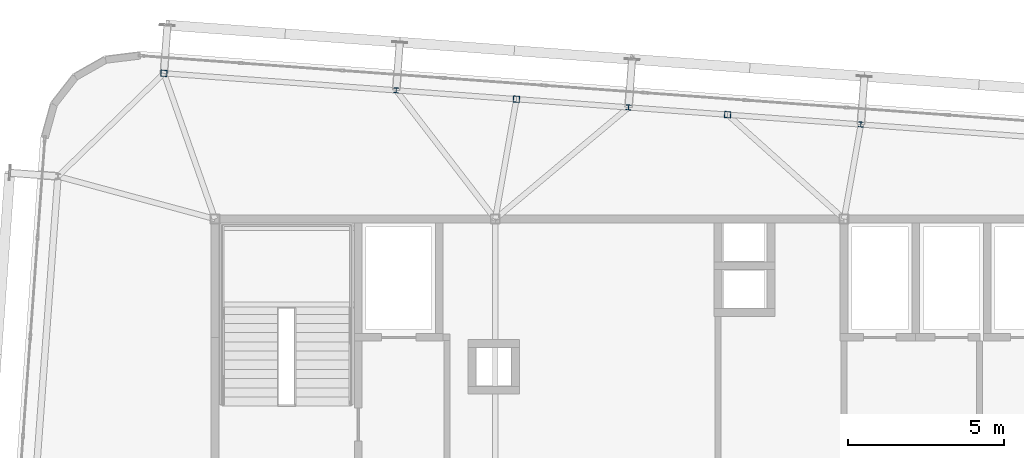
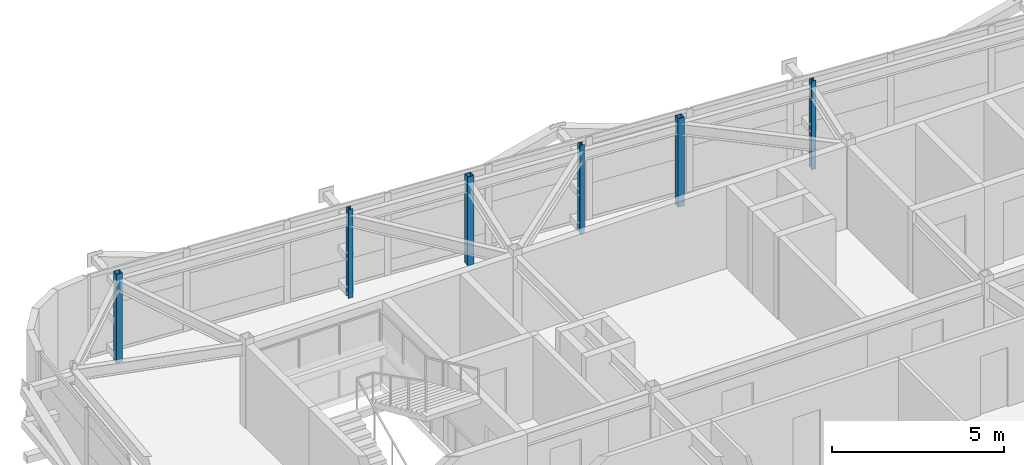
# One storey, part 7 of 42: 6 columns.
"""IFC4 building model written with IfcOpenShell, lengths in metres."""

from ifc_helpers import new_model, si_unit, direction, frame, origin, origin_2d, place, context, subcontext, project, spatial, hollow_rectangle, i_section, extrude, source, transform, mapped, material, material_profile, profile_set, type_object, element, save


model = new_model("IFC4")

# Units and contexts
model_context = context("Model", 3, precision=1e-05, world=origin(), true_north=direction((0.0, 1.0)))
body_context = subcontext(model_context, "Body", "Model", "MODEL_VIEW")
ifc_project = project(units=[si_unit("LENGTHUNIT", "METRE"), si_unit("AREAUNIT", "SQUARE_METRE"), si_unit("VOLUMEUNIT", "CUBIC_METRE"), si_unit("PLANEANGLEUNIT", "RADIAN"), si_unit("MASSUNIT", "GRAM", prefix="KILO")], contexts=[model_context])

# Site, building, storey
site_placement = place(None, origin())
site = spatial("IfcSite", under=ifc_project, at=site_placement, CompositionType="ELEMENT")
building_placement = place(site_placement, origin())
building = spatial("IfcBuilding", under=site, at=building_placement, Name="Taldren Reach Tower", CompositionType="ELEMENT")
storey_placement = place(building_placement, frame((0.0, 0.0, 220.85009765625)))
storey = spatial("IfcBuildingStorey", under=building, at=storey_placement, Name="L67", CompositionType="ELEMENT", Elevation=220.85009765625)

# Columns
ifc_material_1 = material(Name="Steel Gr 350 (C350L0)", Category="steel")
ifc_material_profile_1 = material_profile(ifc_material_1, hollow_rectangle(XDim=0.199951171875, YDim=0.199951171875, WallThickness=0.009033203125, at=origin_2d()), Name="200x200x9.0SHS")
ifc_profile_set_1 = profile_set([ifc_material_profile_1], Name="Steel Gr 350 (C350L0)")
column_type_1 = type_object("IfcColumnType", Name="COL-SHS200", PredefinedType="COLUMN", material=ifc_profile_set_1)
shared_shape_1 = source(origin(), body_context, "Body", "SweptSolid", [
    extrude(hollow_rectangle(XDim=0.199951171875, YDim=0.199951171875, WallThickness=0.009033203125, at=origin_2d()), origin(), (0.0, 0.0, 1.0), 3.14990234375),
])
for number, where, z_axis, x_axis, name in (
    (1, (17.35986328125, 36.678955078125, 0.0), (0.0, 0.0, 1.0), (0.997314477224, -0.073238197128, 0.0), "Block B5 perimeter column N1 L67"),
    (2, (28.67919921875, 35.84765625, 0.0), (0.0, 0.0, 1.0), (0.997314477224, -0.073238197128, 0.0), "Block B5 perimeter column PJN1 L67"),
    (3, (35.4609375, 35.349609375, 0.0), (0.0, 0.0, 1.0), (0.997314477224, -0.073238197128, 0.0), "Block B5 perimeter column PJN2 L67"),
):
    element("IfcColumn", number, at=place(storey_placement, frame(where, z_axis=z_axis, x_axis=x_axis)), inside=storey, type_object=column_type_1, Name=name, PredefinedType="COLUMN", context=body_context, shape_type="MappedRepresentation", body=[
        mapped(shared_shape_1, transform((0.0, 0.0, 0.0), scale=1.0)),
    ])
ifc_material_2 = material(Name="Steel Gr 350 (350PLUS)", Category="steel")
ifc_material_profile_2 = material_profile(ifc_material_2, i_section(OverallWidth=0.154052734375, OverallDepth=0.162109375, WebThickness=0.008056640625, FlangeThickness=0.011474609375, at=origin_2d()), Name="150UC37.2")
ifc_profile_set_2 = profile_set([ifc_material_profile_2], Name="Steel Gr 350 (350PLUS)")
column_type_2 = type_object("IfcColumnType", Name="COL-UC150", PredefinedType="COLUMN", material=ifc_profile_set_2)
shared_shape_2 = source(origin(), body_context, "Body", "SweptSolid", [
    extrude(i_section(OverallWidth=0.154052734375, OverallDepth=0.162109375, WebThickness=0.008056640625, FlangeThickness=0.011474609375, at=origin_2d()), origin(), (0.0, 0.0, 1.0), 3.14990234375),
])
for number, where, z_axis, x_axis, name in (
    (4, (24.819580078125, 36.131103515625, 0.0), (0.0, 0.0, 1.0), (0.997314477224, -0.073238197128, 0.0), "Block B5 perimeter column N2 L67"),
    (5, (32.279541015625, 35.583251953125, 0.0), (0.0, 0.0, 1.0), (0.997314477224, -0.073238197128, 0.0), "Block B5 perimeter column N3 L67"),
    (6, (39.739501953125, 35.035400390625, 0.0), (0.0, 0.0, 1.0), (0.997314477224, -0.073238197128, 0.0), "Block B5 perimeter column N4 L67"),
):
    element("IfcColumn", number, at=place(storey_placement, frame(where, z_axis=z_axis, x_axis=x_axis)), inside=storey, type_object=column_type_2, Name=name, PredefinedType="COLUMN", context=body_context, shape_type="MappedRepresentation", body=[
        mapped(shared_shape_2, transform((0.0, 0.0, 0.0), scale=1.0)),
    ])

save(model, "model.ifc")
